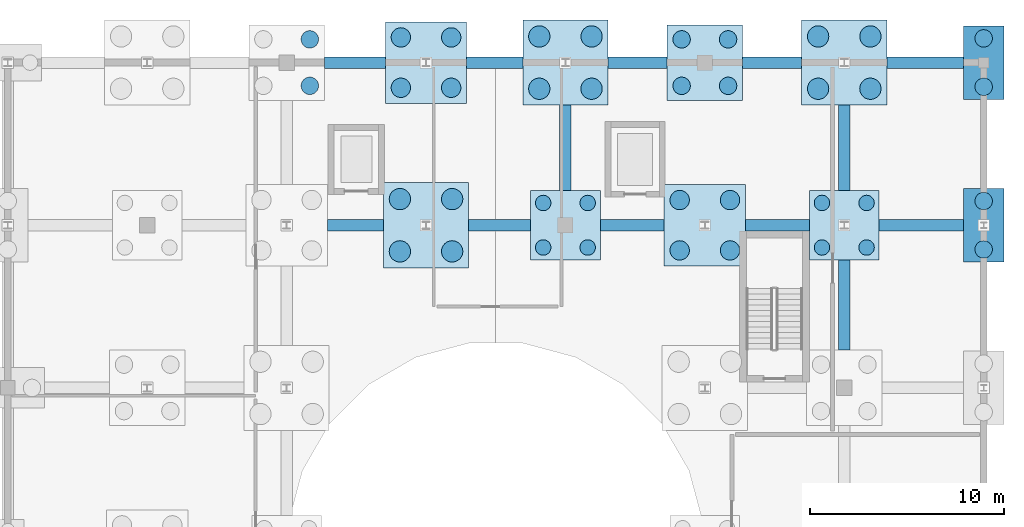
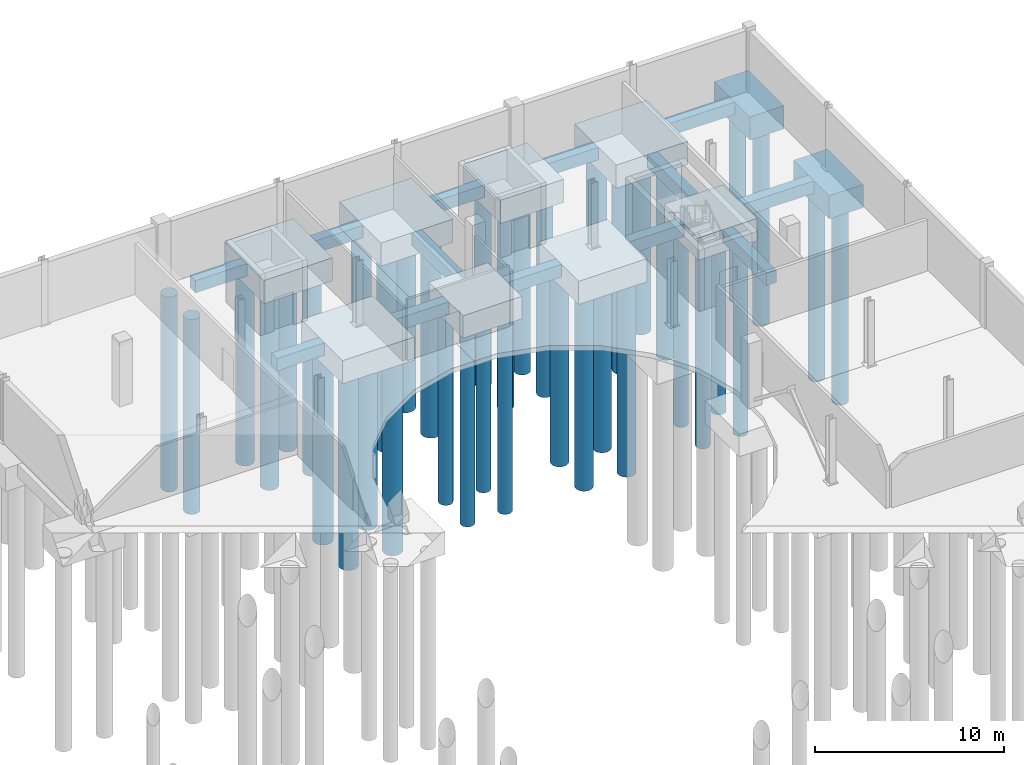
# One storey, part 5 of 32: 38 piles, 23 footings.
"""IFC4 building model written with IfcOpenShell, lengths in metres."""

import ifcopenshell
import ifcopenshell.guid

model = None  # the IFC model being written
_history = None  # IfcOwnerHistory: only IFC2X3 demands one
_inside = {}  # id of a spatial element -> (the spatial element, [elements in it])
_under = {}  # id of a project, library or spatial element -> (it, [spatial elements below it])
_declared = {}  # id of a project -> (the project, [libraries it declares])
_typed = {}  # id of a type object -> (the type object, [elements of that type])
_made_of = {}  # id of a material, layer set ... -> (it, [elements and type objects made of it])


def new_model(schema):
    """Start an empty IFC model of exactly this schema.

    Asked for "IFC4X3", IfcOpenShell would pick the latest addendum, in which some entities
    have other attributes; the version numbers below select the first issue.
    IFC2X3 requires an IfcOwnerHistory on every rooted entity: one is made here for all.
    """
    global model, _history
    if schema == "IFC4X3":
        model = ifcopenshell.file(schema_version=(4, 3, 0, 0))
    else:
        model = ifcopenshell.file(schema=schema)
    _inside.clear()
    _under.clear()
    _declared.clear()
    _typed.clear()
    _made_of.clear()
    _history = None
    if model.schema == "IFC2X3":
        org = make("IfcOrganization", Name="unknown")
        user = make(
            "IfcPersonAndOrganization",
            ThePerson=make("IfcPerson", FamilyName="unknown"),
            TheOrganization=org,
        )
        app = make(
            "IfcApplication",
            ApplicationDeveloper=org,
            Version="unknown",
            ApplicationFullName="unknown",
            ApplicationIdentifier="unknown",
        )
        _history = make(
            "IfcOwnerHistory",
            OwningUser=user,
            OwningApplication=app,
            ChangeAction="ADDED",
            CreationDate=0,
        )
    return model


def make(cls, **values):
    """One entity of the class cls with the attributes given. An attribute that is None is left unset."""
    return model.create_entity(
        cls, **{name: value for name, value in values.items() if value is not None}
    )


def rooted(cls, **values):
    """An entity with a GlobalId (a new one), such as an element, a storey or a relation."""
    return make(cls, GlobalId=ifcopenshell.guid.new(), OwnerHistory=_history, **values)


def si_unit(unit_type, name, prefix=None):
    """IfcSIUnit, for example si_unit("LENGTHUNIT", "METRE", prefix="MILLI")."""
    return make("IfcSIUnit", UnitType=unit_type, Prefix=prefix, Name=name)


def assignment(units):
    """IfcUnitAssignment: the units of a project."""
    return None if units is None else make("IfcUnitAssignment", Units=units)


def point(xyz):
    """IfcCartesianPoint."""
    return None if xyz is None else make("IfcCartesianPoint", Coordinates=xyz)


def direction(xyz):
    """IfcDirection."""
    return None if xyz is None else make("IfcDirection", DirectionRatios=xyz)


def frame(location, z_axis=None, x_axis=None):
    """IfcAxis2Placement3D, a coordinate frame: its origin and axes. An axis left out is left unset."""
    return make(
        "IfcAxis2Placement3D",
        Location=point(location),
        Axis=direction(z_axis),
        RefDirection=direction(x_axis),
    )


def frame_2d(location, x_axis=None):
    """IfcAxis2Placement2D, a coordinate frame in the plane: its origin and x axis."""
    return make(
        "IfcAxis2Placement2D", Location=point(location), RefDirection=direction(x_axis)
    )


def origin():
    """The frame at (0, 0, 0) with its axes left unset."""
    return frame((0.0, 0.0, 0.0))


def origin_2d():
    """The frame at (0, 0) in the plane with its x axis left unset."""
    return frame_2d((0.0, 0.0))


def place(relative_to, where):
    """IfcLocalPlacement: puts the frame where relative to a parent placement (None: the world)."""
    return make(
        "IfcLocalPlacement", PlacementRelTo=relative_to, RelativePlacement=where
    )


def context(
    kind, dimensions, precision=None, world=None, true_north=None, identifier=None
):
    """IfcGeometricRepresentationContext, for example the 3D "Model" context."""
    return make(
        "IfcGeometricRepresentationContext",
        ContextIdentifier=identifier,
        ContextType=kind,
        CoordinateSpaceDimension=dimensions,
        Precision=precision,
        WorldCoordinateSystem=world,
        TrueNorth=true_north,
    )


def subcontext(parent, identifier, kind, view, scale=None):
    """IfcGeometricRepresentationSubContext, for example "Body" below "Model"."""
    return make(
        "IfcGeometricRepresentationSubContext",
        ContextIdentifier=identifier,
        ContextType=kind,
        ParentContext=parent,
        TargetScale=scale,
        TargetView=view,
    )


def project(units=None, contexts=None):
    """IfcProject with its units and contexts."""
    return rooted(
        "IfcProject",
        Name="project",
        RepresentationContexts=contexts,
        UnitsInContext=assignment(units),
    )


def spatial(cls, under=None, at=None, **own):
    """A site, building, storey or space (cls), placed at a placement, below another one or the project."""
    s = rooted(cls, ObjectPlacement=at, **own)
    if under is not None:
        _under.setdefault(under.id(), (under, []))[1].append(s)
    return s


def polyline(points):
    """IfcPolyline through the points."""
    return make("IfcPolyline", Points=[point(p) for p in points])


def profile(cls, at=None, kind="AREA", **sizes):
    """A parametric profile (cls). Its sizes go by their IFC names, for example OverallWidth=200.0."""
    return make(cls, ProfileType=kind, Position=at, **sizes)


def rectangle(**sizes):
    """IfcRectangleProfileDef."""
    return profile("IfcRectangleProfileDef", **sizes)


def circle(**sizes):
    """IfcCircleProfileDef."""
    return profile("IfcCircleProfileDef", **sizes)


def outline(outer, holes=None, kind="AREA"):
    """IfcArbitraryClosedProfileDef: a profile drawn as a closed curve; with holes, ...WithVoids."""
    if holes is None:
        return make("IfcArbitraryClosedProfileDef", ProfileType=kind, OuterCurve=outer)
    return make(
        "IfcArbitraryProfileDefWithVoids",
        ProfileType=kind,
        OuterCurve=outer,
        InnerCurves=holes,
    )


def extrude(swept, where, along, depth):
    """IfcExtrudedAreaSolid: the profile swept, set in the frame where, extruded along a direction by depth."""
    return make(
        "IfcExtrudedAreaSolid",
        SweptArea=swept,
        Position=where,
        ExtrudedDirection=direction(along),
        Depth=depth,
    )


def shape(context_of_items, identifier, shape_type, items):
    """IfcShapeRepresentation: the items that make up one representation, for example the "Body"."""
    return make(
        "IfcShapeRepresentation",
        ContextOfItems=context_of_items,
        RepresentationIdentifier=identifier,
        RepresentationType=shape_type,
        Items=items,
    )


def material(Name=None, Category=None):
    """IfcMaterial."""
    return make("IfcMaterial", Name=Name, Category=Category)


def layer(
    of_material, thickness, ventilated=None, Name=None, Category=None, Priority=None
):
    """IfcMaterialLayer: one layer of a wall or slab, of a material (None: an air gap)."""
    return make(
        "IfcMaterialLayer",
        Material=of_material,
        LayerThickness=thickness,
        IsVentilated=ventilated,
        Name=Name,
        Category=Category,
        Priority=Priority,
    )


def layer_set(layers, Name=None):
    """IfcMaterialLayerSet."""
    return make("IfcMaterialLayerSet", MaterialLayers=layers, LayerSetName=Name)


def material_profile(
    of_material, cross_section, Name=None, Category=None, Priority=None
):
    """IfcMaterialProfile: a cross section and its material."""
    return make(
        "IfcMaterialProfile",
        Name=Name,
        Material=of_material,
        Profile=cross_section,
        Priority=Priority,
        Category=Category,
    )


def profile_set(profiles, Name=None, composite=None):
    """IfcMaterialProfileSet."""
    return make(
        "IfcMaterialProfileSet",
        Name=Name,
        MaterialProfiles=profiles,
        CompositeProfile=composite,
    )


def made_of(thing, what):
    """Note that an element or type object is made of a material, layer set ...; save() writes the relation."""
    if what is not None:
        _made_of.setdefault(what.id(), (what, []))[1].append(thing)
    return thing


def type_object(cls, material=None, **own):
    """A type object (cls), such as IfcWallType, which elements share."""
    return made_of(rooted(cls, **own), material)


def element(
    cls,
    number,
    at=None,
    inside=None,
    cuts=None,
    type_object=None,
    material=None,
    context=None,
    identifier="Body",
    shape_type=None,
    held_by="IfcProductDefinitionShape",
    body=None,
    shapes=None,
    **own,
):
    """One element of the class cls, such as IfcWall. Its Tag is "e" and its number.

    at: its placement. inside: the storey or other place that contains it. cuts: it is an
    opening in that element (IfcRelVoidsElement). A single representation is given by context,
    identifier, shape_type and body (its items); several are given by shapes. held_by: the class
    of the entity that holds the representations. save() writes the other relations.
    """
    e = rooted(cls, Tag="e%d" % number, ObjectPlacement=at, **own)
    if body is not None:
        shapes = [shape(context, identifier, shape_type, body)]
    if shapes is not None:
        e.Representation = make(held_by, Representations=shapes)
    if inside is not None:
        _inside.setdefault(inside.id(), (inside, []))[1].append(e)
    if cuts is not None:
        rooted(
            "IfcRelVoidsElement", RelatingBuildingElement=cuts, RelatedOpeningElement=e
        )
    if type_object is not None:
        _typed.setdefault(type_object.id(), (type_object, []))[1].append(e)
    return made_of(e, material)


def aggregate(whole, parts):
    """IfcRelAggregates: a whole, such as a stair, and the parts it consists of."""
    return rooted("IfcRelAggregates", RelatingObject=whole, RelatedObjects=parts)


def save(model, path):
    """Write the relations noted so far, then the file.

    IfcRelAggregates (storeys below a building ...), IfcRelContainedInSpatialStructure (elements
    in a storey), IfcRelDefinesByType, IfcRelAssociatesMaterial and IfcRelDeclares: one each for
    every whole, place, type object, material and project.
    """
    for whole, parts in _under.values():
        aggregate(whole, parts)
    for where, things in _inside.values():
        rooted(
            "IfcRelContainedInSpatialStructure",
            RelatedElements=things,
            RelatingStructure=where,
        )
    for kind, things in _typed.values():
        rooted("IfcRelDefinesByType", RelatedObjects=things, RelatingType=kind)
    for what, things in _made_of.values():
        rooted("IfcRelAssociatesMaterial", RelatedObjects=things, RelatingMaterial=what)
    for by, libraries in _declared.values():
        rooted("IfcRelDeclares", RelatingContext=by, RelatedDefinitions=libraries)
    model.write(path)


model = new_model("IFC4")

# Units and contexts
model_context = context("Model", 3, precision=1e-05, world=origin(), true_north=direction((0.0, 1.0)))
body_context = subcontext(model_context, "Body", "Model", "MODEL_VIEW")
ifc_project = project(units=[si_unit("LENGTHUNIT", "METRE"), si_unit("AREAUNIT", "SQUARE_METRE"), si_unit("VOLUMEUNIT", "CUBIC_METRE"), si_unit("PLANEANGLEUNIT", "RADIAN"), si_unit("MASSUNIT", "GRAM", prefix="KILO")], contexts=[model_context])

# Site, building, storey
site_placement = place(None, origin())
site = spatial("IfcSite", under=ifc_project, at=site_placement, CompositionType="ELEMENT")
building_placement = place(site_placement, origin())
building = spatial("IfcBuilding", under=site, at=building_placement, Name="Qelthora Terrace Specialist Clinic", CompositionType="ELEMENT")
storey_placement = place(building_placement, frame((0.0, 0.0, -4.199951171875)))
storey = spatial("IfcBuildingStorey", under=building, at=storey_placement, Name="B1", CompositionType="ELEMENT", Elevation=-4.199951171875)

# Footings
ifc_material = material(Name="Concrete C35/45", Category="concrete")
ifc_layer_1 = layer(ifc_material, 1.5)
ifc_layer_set_1 = layer_set([ifc_layer_1], Name="Concrete C35/45")
footing_type_1 = type_object("IfcFootingType", Name="PC-2100X3800X1500", PredefinedType="PILE_CAP", material=ifc_layer_set_1)
for number, where, z_axis, x_axis, name in (
    (1, (50.39990234375, 100.800048828125, -1.800048828125), (0.0, 0.0, 1.0), (1.0, 0.0, 0.0), "Foundation FTG-B1-098"),
    (2, (50.39990234375, 109.199951171875, -1.800048828125), (0.0, 0.0, 1.0), (1.0, 0.0, 0.0), "Foundation FTG-B1-099"),
):
    element("IfcFooting", number, at=place(storey_placement, frame(where, z_axis=z_axis, x_axis=x_axis)), inside=storey, type_object=footing_type_1, Name=name, PredefinedType="PILE_CAP", context=body_context, shape_type="SweptSolid", body=[
        extrude(rectangle(XDim=2.10009765625, YDim=3.800048828125, at=origin_2d()), origin(), (0.0, 0.0, 1.0), 1.5),
    ])
ifc_layer_2 = layer(ifc_material, 1.449951171875)
ifc_layer_set_2 = layer_set([ifc_layer_2], Name="Concrete C35/45")
footing_type_2 = type_object("IfcFootingType", Name="PC-3600X3600X1450", PredefinedType="PILE_CAP", material=ifc_layer_set_2)
for number, where, z_axis, x_axis, name in (
    (3, (28.800048828125, 100.800048828125, -1.75), (0.0, 0.0, 1.0), (1.0, 0.0, 0.0), "Foundation FTG-B1-063"),
    (4, (43.199951171875, 100.800048828125, -1.75), (0.0, 0.0, 1.0), (1.0, 0.0, 0.0), "Foundation FTG-B1-091"),
):
    element("IfcFooting", number, at=place(storey_placement, frame(where, z_axis=z_axis, x_axis=x_axis)), inside=storey, type_object=footing_type_2, Name=name, PredefinedType="PILE_CAP", context=body_context, shape_type="SweptSolid", body=[
        extrude(rectangle(XDim=3.60009765625, YDim=3.60009765625, at=origin_2d()), origin(), (0.0, 0.0, 1.0), 1.449951171875),
    ])
ifc_layer_3 = layer(ifc_material, 1.5)
ifc_layer_set_3 = layer_set([ifc_layer_3], Name="Concrete C35/45")
footing_type_3 = type_object("IfcFootingType", Name="PC-3900X3900X1500", PredefinedType="PILE_CAP", material=ifc_layer_set_3)
footing_1_placement = place(storey_placement, frame((36.0, 109.199951171875, -1.800048828125), z_axis=(0.0, 0.0, 1.0), x_axis=(1.0, 0.0, 0.0)))
element("IfcFooting", 5, at=footing_1_placement, inside=storey, type_object=footing_type_3, Name="Foundation FTG-B1-078", PredefinedType="PILE_CAP", context=body_context, shape_type="SweptSolid", body=[
    extrude(rectangle(XDim=3.89990234375, YDim=3.89990234375, at=origin_2d()), origin(), (0.0, 0.0, 1.0), 1.5),
])
ifc_layer_4 = layer(ifc_material, 1.5)
ifc_layer_set_4 = layer_set([ifc_layer_4], Name="Concrete C35/45")
footing_type_4 = type_object("IfcFootingType", Name="PC-4200X4200X1500", PredefinedType="PILE_CAP", material=ifc_layer_set_4)
for number, where, z_axis, x_axis, name in (
    (6, (21.60009765625, 109.199951171875, -1.800048828125), (0.0, 0.0, 1.0), (1.0, 0.0, 0.0), "Foundation FTG-B1-053"),
    (7, (36.0, 100.800048828125, -1.800048828125), (0.0, 0.0, 1.0), (1.0, 0.0, 0.0), "Foundation FTG-B1-077"),
):
    element("IfcFooting", number, at=place(storey_placement, frame(where, z_axis=z_axis, x_axis=x_axis)), inside=storey, type_object=footing_type_4, Name=name, PredefinedType="PILE_CAP", context=body_context, shape_type="SweptSolid", body=[
        extrude(rectangle(XDim=4.199951171875, YDim=4.199951171875, at=origin_2d()), origin(), (0.0, 0.0, 1.0), 1.5),
    ])
ifc_layer_5 = layer(ifc_material, 1.5)
ifc_layer_set_5 = layer_set([ifc_layer_5], Name="Concrete C35/45")
footing_type_5 = type_object("IfcFootingType", Name="PC-4400X4400X1500", PredefinedType="PILE_CAP", material=ifc_layer_set_5)
for number, where, z_axis, x_axis, name in (
    (8, (21.60009765625, 100.800048828125, -1.800048828125), (0.0, 0.0, 1.0), (1.0, 0.0, 0.0), "Foundation FTG-B1-052"),
    (9, (28.800048828125, 109.199951171875, -1.800048828125), (0.0, 0.0, 1.0), (1.0, 0.0, 0.0), "Foundation FTG-B1-064"),
    (10, (43.199951171875, 109.199951171875, -1.800048828125), (0.0, 0.0, 1.0), (1.0, 0.0, 0.0), "Foundation FTG-B1-092"),
):
    element("IfcFooting", number, at=place(storey_placement, frame(where, z_axis=z_axis, x_axis=x_axis)), inside=storey, type_object=footing_type_5, Name=name, PredefinedType="PILE_CAP", context=body_context, shape_type="SweptSolid", body=[
        extrude(rectangle(XDim=4.39990234375, YDim=4.39990234375, at=origin_2d()), origin(), (0.0, 0.0, 1.0), 1.5),
    ])

# Piles
ifc_material_profile_1 = material_profile(ifc_material, circle(Radius=0.5, at=origin_2d()), Name="PILE1000")
ifc_profile_set_1 = profile_set([ifc_material_profile_1], Name="Concrete C35/45")
pile_type_1 = type_object("IfcPileType", Name="PILE-D1000-C35", PredefinedType="BORED", material=ifc_profile_set_1)
for number, where, z_axis, x_axis, name in (
    (11, (20.300048828125, 107.89990234375, -1.699951171875), (0.0, 0.0, -1.0), (1.0, 0.0, 0.0), "Bored pile PILE-B1-053-1"),
    (12, (22.89990234375, 107.89990234375, -1.699951171875), (0.0, 0.0, -1.0), (1.0, 0.0, 0.0), "Bored pile PILE-B1-053-2"),
    (13, (20.300048828125, 110.5, -1.699951171875), (0.0, 0.0, -1.0), (1.0, 0.0, 0.0), "Bored pile PILE-B1-053-3"),
    (14, (22.89990234375, 110.5, -1.699951171875), (0.0, 0.0, -1.0), (1.0, 0.0, 0.0), "Bored pile PILE-B1-053-4"),
    (15, (34.699951171875, 99.5, -1.699951171875), (0.0, 0.0, -1.0), (1.0, 0.0, 0.0), "Bored pile PILE-B1-077-1"),
    (16, (37.300048828125, 99.5, -1.699951171875), (0.0, 0.0, -1.0), (1.0, 0.0, 0.0), "Bored pile PILE-B1-077-2"),
    (17, (34.699951171875, 102.10009765625, -1.699951171875), (0.0, 0.0, -1.0), (1.0, 0.0, 0.0), "Bored pile PILE-B1-077-3"),
    (18, (37.300048828125, 102.10009765625, -1.699951171875), (0.0, 0.0, -1.0), (1.0, 0.0, 0.0), "Bored pile PILE-B1-077-4"),
):
    element("IfcPile", number, at=place(storey_placement, frame(where, z_axis=z_axis, x_axis=x_axis)), inside=storey, type_object=pile_type_1, Name=name, PredefinedType="BORED", context=body_context, shape_type="SweptSolid", body=[
        extrude(circle(Radius=0.5, at=origin_2d()), origin(), (0.0, 0.0, 1.0), 12.60009765625),
    ])
ifc_material_profile_2 = material_profile(ifc_material, circle(Radius=0.550048828125, at=origin_2d()), Name="PILE1100")
ifc_profile_set_2 = profile_set([ifc_material_profile_2], Name="Concrete C35/45")
pile_type_2 = type_object("IfcPileType", Name="PILE-D1100-C35", PredefinedType="BORED", material=ifc_profile_set_2)
for number, where, z_axis, x_axis, name in (
    (19, (20.25, 99.449951171875, -1.699951171875), (0.0, 0.0, -1.0), (1.0, 0.0, 0.0), "Bored pile PILE-B1-052-1"),
    (20, (22.949951171875, 99.449951171875, -1.699951171875), (0.0, 0.0, -1.0), (1.0, 0.0, 0.0), "Bored pile PILE-B1-052-2"),
    (21, (20.25, 102.14990234375, -1.699951171875), (0.0, 0.0, -1.0), (1.0, 0.0, 0.0), "Bored pile PILE-B1-052-3"),
    (22, (22.949951171875, 102.14990234375, -1.699951171875), (0.0, 0.0, -1.0), (1.0, 0.0, 0.0), "Bored pile PILE-B1-052-4"),
    (23, (27.449951171875, 107.85009765625, -1.699951171875), (0.0, 0.0, -1.0), (1.0, 0.0, 0.0), "Bored pile PILE-B1-064-1"),
    (24, (30.14990234375, 107.85009765625, -1.699951171875), (0.0, 0.0, -1.0), (1.0, 0.0, 0.0), "Bored pile PILE-B1-064-2"),
    (25, (27.449951171875, 110.550048828125, -1.699951171875), (0.0, 0.0, -1.0), (1.0, 0.0, 0.0), "Bored pile PILE-B1-064-3"),
    (26, (30.14990234375, 110.550048828125, -1.699951171875), (0.0, 0.0, -1.0), (1.0, 0.0, 0.0), "Bored pile PILE-B1-064-4"),
    (27, (41.85009765625, 107.85009765625, -1.699951171875), (0.0, 0.0, -1.0), (1.0, 0.0, 0.0), "Bored pile PILE-B1-092-1"),
    (28, (44.550048828125, 107.85009765625, -1.699951171875), (0.0, 0.0, -1.0), (1.0, 0.0, 0.0), "Bored pile PILE-B1-092-2"),
    (29, (41.85009765625, 110.550048828125, -1.699951171875), (0.0, 0.0, -1.0), (1.0, 0.0, 0.0), "Bored pile PILE-B1-092-3"),
    (30, (44.550048828125, 110.550048828125, -1.699951171875), (0.0, 0.0, -1.0), (1.0, 0.0, 0.0), "Bored pile PILE-B1-092-4"),
):
    element("IfcPile", number, at=place(storey_placement, frame(where, z_axis=z_axis, x_axis=x_axis)), inside=storey, type_object=pile_type_2, Name=name, PredefinedType="BORED", context=body_context, shape_type="SweptSolid", body=[
        extrude(circle(Radius=0.550048828125, at=origin_2d()), origin(), (0.0, 0.0, 1.0), 12.60009765625),
    ])
ifc_material_profile_3 = material_profile(ifc_material, circle(Radius=0.39990234375, at=origin_2d()), Name="PILE800")
ifc_profile_set_3 = profile_set([ifc_material_profile_3], Name="Concrete C35/45")
pile_type_3 = type_object("IfcPileType", Name="PILE-D800-C35", PredefinedType="BORED", material=ifc_profile_set_3)
for number, where, z_axis, x_axis, name in (
    (31, (27.64990234375, 99.64990234375, -1.650146484375), (0.0, 0.0, -1.0), (1.0, 0.0, 0.0), "Bored pile PILE-B1-063-1"),
    (32, (29.949951171875, 99.64990234375, -1.650146484375), (0.0, 0.0, -1.0), (1.0, 0.0, 0.0), "Bored pile PILE-B1-063-2"),
    (33, (27.64990234375, 101.949951171875, -1.650146484375), (0.0, 0.0, -1.0), (1.0, 0.0, 0.0), "Bored pile PILE-B1-063-3"),
    (34, (29.949951171875, 101.949951171875, -1.650146484375), (0.0, 0.0, -1.0), (1.0, 0.0, 0.0), "Bored pile PILE-B1-063-4"),
    (35, (42.050048828125, 99.64990234375, -1.650146484375), (0.0, 0.0, -1.0), (1.0, 0.0, 0.0), "Bored pile PILE-B1-091-1"),
    (36, (44.35009765625, 99.64990234375, -1.650146484375), (0.0, 0.0, -1.0), (1.0, 0.0, 0.0), "Bored pile PILE-B1-091-2"),
    (37, (42.050048828125, 101.949951171875, -1.650146484375), (0.0, 0.0, -1.0), (1.0, 0.0, 0.0), "Bored pile PILE-B1-091-3"),
    (38, (44.35009765625, 101.949951171875, -1.650146484375), (0.0, 0.0, -1.0), (1.0, 0.0, 0.0), "Bored pile PILE-B1-091-4"),
):
    element("IfcPile", number, at=place(storey_placement, frame(where, z_axis=z_axis, x_axis=x_axis)), inside=storey, type_object=pile_type_3, Name=name, PredefinedType="BORED", context=body_context, shape_type="SweptSolid", body=[
        extrude(circle(Radius=0.39990234375, at=origin_2d()), origin(), (0.0, 0.0, 1.0), 12.64990234375),
    ])
ifc_material_profile_4 = material_profile(ifc_material, circle(Radius=0.449951171875, at=origin_2d()), Name="PILE900")
ifc_profile_set_4 = profile_set([ifc_material_profile_4], Name="Concrete C35/45")
pile_type_4 = type_object("IfcPileType", Name="PILE-D900-C35", PredefinedType="BORED", material=ifc_profile_set_4)
for number, where, z_axis, x_axis, name in (
    (39, (15.60009765625, 108.0, -1.699951171875), (0.0, 0.0, -1.0), (1.0, 0.0, 0.0), "Bored pile PILE-B1-042-2"),
    (40, (15.60009765625, 110.39990234375, -1.699951171875), (0.0, 0.0, -1.0), (1.0, 0.0, 0.0), "Bored pile PILE-B1-042-4"),
    (41, (34.800048828125, 108.0, -1.699951171875), (0.0, 0.0, -1.0), (1.0, 0.0, 0.0), "Bored pile PILE-B1-078-1"),
    (42, (37.199951171875, 108.0, -1.699951171875), (0.0, 0.0, -1.0), (1.0, 0.0, 0.0), "Bored pile PILE-B1-078-2"),
    (43, (34.800048828125, 110.39990234375, -1.699951171875), (0.0, 0.0, -1.0), (1.0, 0.0, 0.0), "Bored pile PILE-B1-078-3"),
    (44, (37.199951171875, 110.39990234375, -1.699951171875), (0.0, 0.0, -1.0), (1.0, 0.0, 0.0), "Bored pile PILE-B1-078-4"),
    (45, (50.39990234375, 99.550048828125, -1.699951171875), (0.0, 0.0, -1.0), (1.0, 0.0, 0.0), "Bored pile PILE-B1-098-1"),
    (46, (50.39990234375, 102.050048828125, -1.699951171875), (0.0, 0.0, -1.0), (1.0, 0.0, 0.0), "Bored pile PILE-B1-098-2"),
    (47, (50.39990234375, 107.949951171875, -1.699951171875), (0.0, 0.0, -1.0), (1.0, 0.0, 0.0), "Bored pile PILE-B1-099-1"),
    (48, (50.39990234375, 110.449951171875, -1.699951171875), (0.0, 0.0, -1.0), (1.0, 0.0, 0.0), "Bored pile PILE-B1-099-2"),
):
    element("IfcPile", number, at=place(storey_placement, frame(where, z_axis=z_axis, x_axis=x_axis)), inside=storey, type_object=pile_type_4, Name=name, PredefinedType="BORED", context=body_context, shape_type="SweptSolid", body=[
        extrude(circle(Radius=0.449951171875, at=origin_2d()), origin(), (0.0, 0.0, 1.0), 12.60009765625),
    ])

# Footings
ifc_layer_6 = layer(ifc_material, 0.800048828125)
ifc_layer_set_6 = layer_set([ifc_layer_6], Name="Concrete C35/45")
footing_type_6 = type_object("IfcFootingType", Name="SF-600X800-C35", PredefinedType="STRIP_FOOTING", material=ifc_layer_set_6)
footing_2_placement = place(storey_placement, frame((0.0, 0.0, -1.10009765625)))
element("IfcFooting", 49, at=footing_2_placement, inside=storey, type_object=footing_type_6, Name="Foundation tie strip SF-X-063", PredefinedType="STRIP_FOOTING", context=body_context, shape_type="SweptSolid", body=[
    extrude(outline(polyline([(16.5, 100.5), (19.39990234375, 100.5), (19.39990234375, 101.10009765625), (16.5, 101.10009765625), (16.5, 100.5)])), origin(), (0.0, 0.0, 1.0), 0.800048828125),
])
footing_3_placement = place(storey_placement, frame((0.0, 0.0, -1.10009765625)))
element("IfcFooting", 50, at=footing_3_placement, inside=storey, type_object=footing_type_6, Name="Foundation tie strip SF-X-065", PredefinedType="STRIP_FOOTING", context=body_context, shape_type="SweptSolid", body=[
    extrude(outline(polyline([(16.35009765625, 108.89990234375), (19.5, 108.89990234375), (19.5, 109.5), (16.35009765625, 109.5), (16.35009765625, 108.89990234375)])), origin(), (0.0, 0.0, 1.0), 0.800048828125),
])
footing_4_placement = place(storey_placement, frame((0.0, 0.0, -1.10009765625)))
element("IfcFooting", 51, at=footing_4_placement, inside=storey, type_object=footing_type_6, Name="Foundation tie strip SF-X-075", PredefinedType="STRIP_FOOTING", context=body_context, shape_type="SweptSolid", body=[
    extrude(outline(polyline([(23.800048828125, 100.5), (27.0, 100.5), (27.0, 101.10009765625), (23.800048828125, 101.10009765625), (23.800048828125, 100.5)])), origin(), (0.0, 0.0, 1.0), 0.800048828125),
])
footing_5_placement = place(storey_placement, frame((0.0, 0.0, -1.10009765625)))
element("IfcFooting", 52, at=footing_5_placement, inside=storey, type_object=footing_type_6, Name="Foundation tie strip SF-X-076", PredefinedType="STRIP_FOOTING", context=body_context, shape_type="SweptSolid", body=[
    extrude(outline(polyline([(23.699951171875, 108.89990234375), (26.60009765625, 108.89990234375), (26.60009765625, 109.5), (23.699951171875, 109.5), (23.699951171875, 108.89990234375)])), origin(), (0.0, 0.0, 1.0), 0.800048828125),
])
footing_6_placement = place(storey_placement, frame((0.0, 0.0, -1.10009765625)))
element("IfcFooting", 53, at=footing_6_placement, inside=storey, type_object=footing_type_6, Name="Foundation tie strip SF-X-094", PredefinedType="STRIP_FOOTING", context=body_context, shape_type="SweptSolid", body=[
    extrude(outline(polyline([(30.60009765625, 100.5), (33.89990234375, 100.5), (33.89990234375, 101.10009765625), (30.60009765625, 101.10009765625), (30.60009765625, 100.5)])), origin(), (0.0, 0.0, 1.0), 0.800048828125),
])
footing_7_placement = place(storey_placement, frame((0.0, 0.0, -1.10009765625)))
element("IfcFooting", 54, at=footing_7_placement, inside=storey, type_object=footing_type_6, Name="Foundation tie strip SF-Y-095", PredefinedType="STRIP_FOOTING", context=body_context, shape_type="SweptSolid", body=[
    extrude(outline(polyline([(28.5, 102.60009765625), (29.10009765625, 102.60009765625), (29.10009765625, 107.0), (28.5, 107.0), (28.5, 102.60009765625)])), origin(), (0.0, 0.0, 1.0), 0.800048828125),
])
footing_8_placement = place(storey_placement, frame((0.0, 0.0, -1.10009765625)))
element("IfcFooting", 55, at=footing_8_placement, inside=storey, type_object=footing_type_6, Name="Foundation tie strip SF-X-096", PredefinedType="STRIP_FOOTING", context=body_context, shape_type="SweptSolid", body=[
    extrude(outline(polyline([(31.0, 108.89990234375), (34.050048828125, 108.89990234375), (34.050048828125, 109.5), (31.0, 109.5), (31.0, 108.89990234375)])), origin(), (0.0, 0.0, 1.0), 0.800048828125),
])
footing_9_placement = place(storey_placement, frame((0.0, 0.0, -1.10009765625)))
element("IfcFooting", 56, at=footing_9_placement, inside=storey, type_object=footing_type_6, Name="Foundation tie strip SF-X-109", PredefinedType="STRIP_FOOTING", context=body_context, shape_type="SweptSolid", body=[
    extrude(outline(polyline([(38.10009765625, 100.5), (41.39990234375, 100.5), (41.39990234375, 101.10009765625), (38.10009765625, 101.10009765625), (38.10009765625, 100.5)])), origin(), (0.0, 0.0, 1.0), 0.800048828125),
])
footing_10_placement = place(storey_placement, frame((0.0, 0.0, -1.10009765625)))
element("IfcFooting", 57, at=footing_10_placement, inside=storey, type_object=footing_type_6, Name="Foundation tie strip SF-X-110", PredefinedType="STRIP_FOOTING", context=body_context, shape_type="SweptSolid", body=[
    extrude(outline(polyline([(37.949951171875, 108.89990234375), (41.0, 108.89990234375), (41.0, 109.5), (37.949951171875, 109.5), (37.949951171875, 108.89990234375)])), origin(), (0.0, 0.0, 1.0), 0.800048828125),
])
footing_11_placement = place(storey_placement, frame((0.0, 0.0, -1.10009765625)))
element("IfcFooting", 58, at=footing_11_placement, inside=storey, type_object=footing_type_6, Name="Foundation tie strip SF-Y-127", PredefinedType="STRIP_FOOTING", context=body_context, shape_type="SweptSolid", body=[
    extrude(outline(polyline([(42.89990234375, 94.35009765625), (43.5, 94.35009765625), (43.5, 99.0), (42.89990234375, 99.0), (42.89990234375, 94.35009765625)])), origin(), (0.0, 0.0, 1.0), 0.800048828125),
])
footing_12_placement = place(storey_placement, frame((0.0, 0.0, -1.10009765625)))
element("IfcFooting", 59, at=footing_12_placement, inside=storey, type_object=footing_type_6, Name="Foundation tie strip SF-X-128", PredefinedType="STRIP_FOOTING", context=body_context, shape_type="SweptSolid", body=[
    extrude(outline(polyline([(45.0, 100.5), (49.35009765625, 100.5), (49.35009765625, 101.10009765625), (45.0, 101.10009765625), (45.0, 100.5)])), origin(), (0.0, 0.0, 1.0), 0.800048828125),
])
footing_13_placement = place(storey_placement, frame((0.0, 0.0, -1.10009765625)))
element("IfcFooting", 60, at=footing_13_placement, inside=storey, type_object=footing_type_6, Name="Foundation tie strip SF-Y-129", PredefinedType="STRIP_FOOTING", context=body_context, shape_type="SweptSolid", body=[
    extrude(outline(polyline([(42.89990234375, 102.60009765625), (43.5, 102.60009765625), (43.5, 107.0), (42.89990234375, 107.0), (42.89990234375, 102.60009765625)])), origin(), (0.0, 0.0, 1.0), 0.800048828125),
])
footing_14_placement = place(storey_placement, frame((0.0, 0.0, -1.10009765625)))
element("IfcFooting", 61, at=footing_14_placement, inside=storey, type_object=footing_type_6, Name="Foundation tie strip SF-X-130", PredefinedType="STRIP_FOOTING", context=body_context, shape_type="SweptSolid", body=[
    extrude(outline(polyline([(45.39990234375, 108.89990234375), (49.35009765625, 108.89990234375), (49.35009765625, 109.5), (45.39990234375, 109.5), (45.39990234375, 108.89990234375)])), origin(), (0.0, 0.0, 1.0), 0.800048828125),
])

save(model, "model.ifc")
